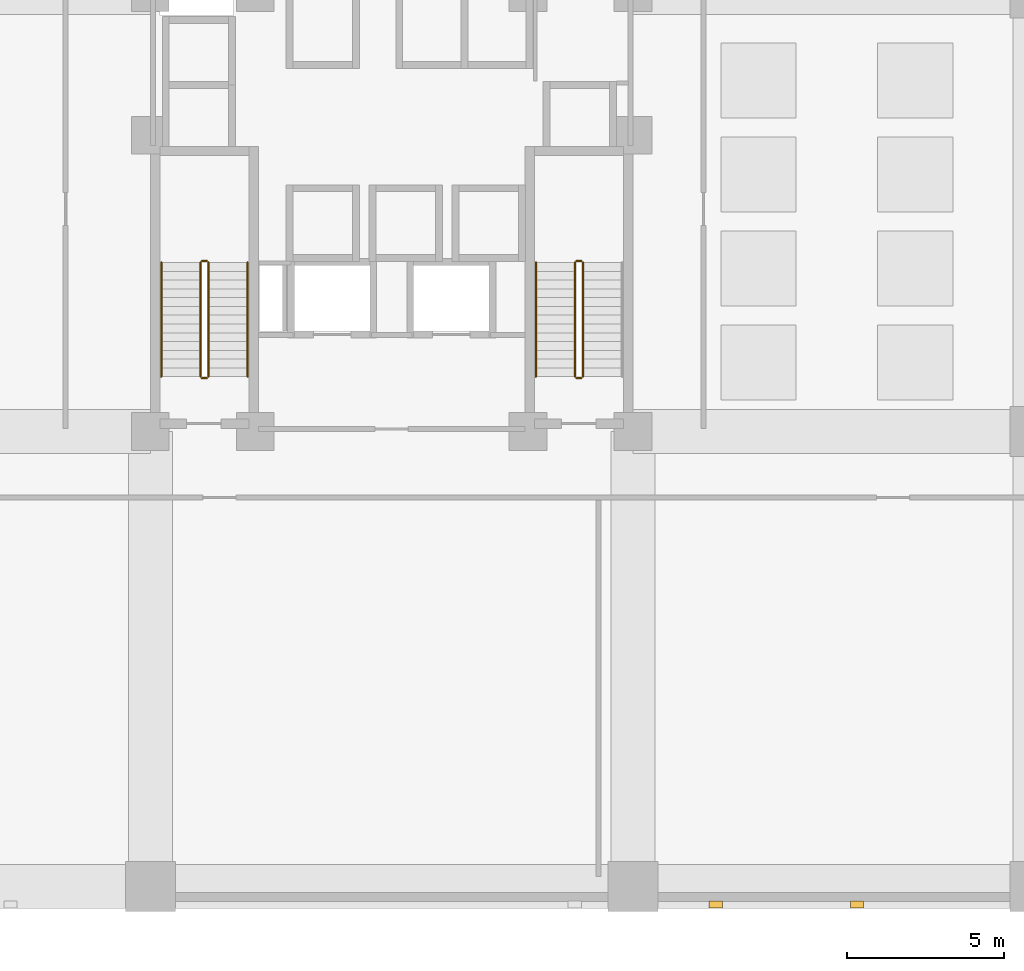
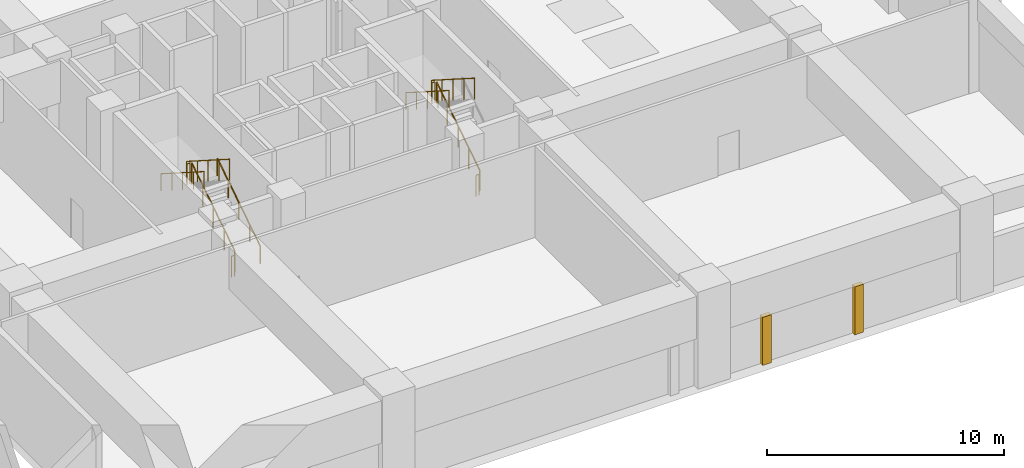
# One storey, part 5 of 6: 11 railings, 2 coverings.
"""IFC4 building model written with IfcOpenShell, lengths in metres."""

from ifc_helpers import new_model, si_unit, derived_unit, direction, frame, origin, origin_2d, place, context, subcontext, project, spatial, rectangle, circle, extrude, material, layer, layer_set, type_object, element, save


model = new_model("IFC4")

# Units and contexts
model_context = context("Model", 3, precision=1e-05, world=origin(), true_north=direction((0.0, 1.0)))
body_context = subcontext(model_context, "Body", "Model", "MODEL_VIEW")
ifc_project = project(units=[si_unit("LENGTHUNIT", "METRE"), si_unit("AREAUNIT", "SQUARE_METRE"), si_unit("VOLUMEUNIT", "CUBIC_METRE"), si_unit("PLANEANGLEUNIT", "RADIAN"), si_unit("MASSUNIT", "GRAM", prefix="KILO"), derived_unit("THERMALTRANSMITTANCEUNIT", [(si_unit("MASSUNIT", "GRAM", prefix="KILO"), 1), (si_unit("TIMEUNIT", "SECOND"), -3), (si_unit("THERMODYNAMICTEMPERATUREUNIT", "KELVIN"), -1)])], contexts=[model_context])

# Site, building, storey
site_placement = place(None, origin())
site = spatial("IfcSite", under=ifc_project, at=site_placement, CompositionType="ELEMENT")
building_placement = place(site_placement, origin())
building = spatial("IfcBuilding", under=site, at=building_placement, Name="Korrvale Station Residences", CompositionType="ELEMENT")
storey_placement = place(building_placement, frame((0.0, 0.0, 20.800048828125)))
storey = spatial("IfcBuildingStorey", under=building, at=storey_placement, Name="L04", CompositionType="ELEMENT", Elevation=20.800048828125)

# Coverings
ifc_material_1 = material(Name="Architectural precast concrete C45/55", Category="concrete")
ifc_layer = layer(ifc_material_1, 0.219970703125, Name="Architectural precast concrete C45/55")
ifc_layer_set = layer_set([ifc_layer], Name="Architectural precast concrete C45/55")
covering_type = type_object("IfcCoveringType", Name="COV-PIER-400", PredefinedType="CLADDING", material=ifc_layer_set)
for number, where, z_axis, x_axis, name in (
    (1, (40.340087890625, -0.090087890625, 0.02490234375), (0.0, 0.0, 1.0), (1.0, 0.0, 0.0), "L04 Architectural Precast Facade Pier 02"),
    (2, (35.840087890625, -0.090087890625, 0.02490234375), (0.0, 0.0, 1.0), (1.0, 0.0, 0.0), "L04 Architectural Precast Facade Pier 03"),
):
    element("IfcCovering", number, at=place(storey_placement, frame(where, z_axis=z_axis, x_axis=x_axis)), inside=storey, type_object=covering_type, Name=name, PredefinedType="CLADDING", context=body_context, shape_type="SweptSolid", body=[
        extrude(rectangle(XDim=0.419921875, YDim=0.219970703125, at=origin_2d()), origin(), (0.0, 0.0, 1.0), 2.47509765625),
    ])

# Railings
ifc_material_2 = material(Name="Brushed stainless-steel continuous stair handrail", Category="steel")
railing_type_1 = type_object("IfcRailingType", Name="RLG-SHND-900", PredefinedType="HANDRAIL", material=ifc_material_2)
railing_1_placement = place(storey_placement, frame((20.89990234375, 16.75, 0.178466796875)))
element("IfcRailing", 3, at=railing_1_placement, inside=storey, type_object=railing_type_1, Name="L04 ST-1 stair handrail 1", PredefinedType="HANDRAIL", context=body_context, shape_type="SweptSolid", body=[
    extrude(circle(Radius=0.02392578125, at=origin_2d()), frame((0.0, 0.0, 0.8759765625), z_axis=(0.0, 0.843111507901, 0.53773877045), x_axis=(-1.0, 0.0, 0.0)), (0.0, 0.0, 1.0), 4.317138671875),
    extrude(circle(Radius=0.02099609375, at=origin_2d()), origin(), (0.0, 0.0, 1.0), 0.851806640625),
    extrude(circle(Radius=0.02099609375, at=origin_2d()), frame((0.0, 0.909912109375, 0.580322265625)), (0.0, 0.0, 1.0), 0.851806640625),
    extrude(circle(Radius=0.02099609375, at=origin_2d()), frame((0.0, 1.81982421875, 1.16064453125)), (0.0, 0.0, 1.0), 0.851806640625),
    extrude(circle(Radius=0.02099609375, at=origin_2d()), frame((0.0, 2.72998046875, 1.7412109375)), (0.0, 0.0, 1.0), 0.851806640625),
    extrude(circle(Radius=0.02099609375, at=origin_2d()), frame((0.0, 3.639892578125, 2.321533203125)), (0.0, 0.0, 1.0), 0.851806640625),
])
for number, where, name in (
    (4, (18.14990234375, 20.389892578125, 2.678466796875), "L04 ST-1 stair handrail 2"),
    (5, (30.10009765625, 20.389892578125, 2.678466796875), "L04 ST-2 stair handrail 2"),
):
    element("IfcRailing", number, at=place(storey_placement, frame(where)), inside=storey, type_object=railing_type_1, Name=name, PredefinedType="HANDRAIL", context=body_context, shape_type="SweptSolid", body=[
        extrude(circle(Radius=0.02392578125, at=origin_2d()), frame((0.0, 0.0, 0.8759765625), z_axis=(0.0, -0.843111507901, 0.53773877045), x_axis=(1.0, 0.0, 0.0)), (0.0, 0.0, 1.0), 4.317138671875),
        extrude(circle(Radius=0.02099609375, at=origin_2d()), origin(), (0.0, 0.0, 1.0), 0.851806640625),
        extrude(circle(Radius=0.02099609375, at=origin_2d()), frame((0.0, -0.909912109375, 0.580322265625)), (0.0, 0.0, 1.0), 0.851806640625),
        extrude(circle(Radius=0.02099609375, at=origin_2d()), frame((0.0, -1.81982421875, 1.16064453125)), (0.0, 0.0, 1.0), 0.851806640625),
        extrude(circle(Radius=0.02099609375, at=origin_2d()), frame((0.0, -2.72998046875, 1.7412109375)), (0.0, 0.0, 1.0), 0.851806640625),
        extrude(circle(Radius=0.02099609375, at=origin_2d()), frame((0.0, -3.639892578125, 2.321533203125)), (0.0, 0.0, 1.0), 0.851806640625),
    ])
ifc_material_3 = material(Name="Galvanised painted tubular steel stair guard", Category="steel")
railing_type_2 = type_object("IfcRailingType", Name="RLG-STR-1100", PredefinedType="GUARDRAIL", material=ifc_material_3)
railing_2_placement = place(storey_placement, frame((19.64990234375, 16.75, 0.178466796875)))
element("IfcRailing", 6, at=railing_2_placement, inside=storey, type_object=railing_type_2, Name="L04 ST-1 stair guard 1", PredefinedType="GUARDRAIL", context=body_context, shape_type="SweptSolid", body=[
    extrude(circle(Radius=0.02392578125, at=origin_2d()), frame((0.0, 0.0, 1.076171875), z_axis=(0.0, 0.843111507901, 0.53773877045), x_axis=(-1.0, 0.0, 0.0)), (0.0, 0.0, 1.0), 4.317138671875),
    extrude(circle(Radius=0.02099609375, at=origin_2d()), origin(), (0.0, 0.0, 1.0), 1.052001953125),
    extrude(circle(Radius=0.02099609375, at=origin_2d()), frame((0.0, 0.909912109375, 0.580322265625)), (0.0, 0.0, 1.0), 1.052001953125),
    extrude(circle(Radius=0.02099609375, at=origin_2d()), frame((0.0, 1.81982421875, 1.16064453125)), (0.0, 0.0, 1.0), 1.052001953125),
    extrude(circle(Radius=0.02099609375, at=origin_2d()), frame((0.0, 2.72998046875, 1.7412109375)), (0.0, 0.0, 1.0), 1.052001953125),
    extrude(circle(Radius=0.02099609375, at=origin_2d()), frame((0.0, 3.639892578125, 2.321533203125)), (0.0, 0.0, 1.0), 1.052001953125),
])
railing_3_placement = place(storey_placement, frame((19.60009765625, 20.43994140625, 2.5)))
element("IfcRailing", 7, at=railing_3_placement, inside=storey, type_object=railing_type_2, Name="L04 ST-1 stair guard 2", PredefinedType="GUARDRAIL", context=body_context, shape_type="SweptSolid", body=[
    extrude(circle(Radius=0.02392578125, at=origin_2d()), frame((0.0, 0.0, 1.076171875), z_axis=(-1.0, 0.0, 0.0), x_axis=(0.0, -1.0, 0.0)), (0.0, 0.0, 1.0), 0.150146484375),
    extrude(circle(Radius=0.02099609375, at=origin_2d()), origin(), (0.0, 0.0, 1.0), 1.052001953125),
    extrude(circle(Radius=0.02099609375, at=origin_2d()), frame((-0.150146484375, 0.0, 0.0)), (0.0, 0.0, 1.0), 1.052001953125),
])
railing_4_placement = place(storey_placement, frame((19.39990234375, 20.389892578125, 2.678466796875)))
element("IfcRailing", 8, at=railing_4_placement, inside=storey, type_object=railing_type_2, Name="L04 ST-1 stair guard 3", PredefinedType="GUARDRAIL", context=body_context, shape_type="SweptSolid", body=[
    extrude(circle(Radius=0.02392578125, at=origin_2d()), frame((0.0, 0.0, 1.076171875), z_axis=(0.0, -0.843111507901, 0.53773877045), x_axis=(1.0, 0.0, 0.0)), (0.0, 0.0, 1.0), 4.317138671875),
    extrude(circle(Radius=0.02099609375, at=origin_2d()), origin(), (0.0, 0.0, 1.0), 1.052001953125),
    extrude(circle(Radius=0.02099609375, at=origin_2d()), frame((0.0, -0.909912109375, 0.580322265625)), (0.0, 0.0, 1.0), 1.052001953125),
    extrude(circle(Radius=0.02099609375, at=origin_2d()), frame((0.0, -1.81982421875, 1.16064453125)), (0.0, 0.0, 1.0), 1.052001953125),
    extrude(circle(Radius=0.02099609375, at=origin_2d()), frame((0.0, -2.72998046875, 1.7412109375)), (0.0, 0.0, 1.0), 1.052001953125),
    extrude(circle(Radius=0.02099609375, at=origin_2d()), frame((0.0, -3.639892578125, 2.321533203125)), (0.0, 0.0, 1.0), 1.052001953125),
])
railing_5_placement = place(storey_placement, frame((19.60009765625, 16.699951171875, 0.0)))
element("IfcRailing", 9, at=railing_5_placement, inside=storey, type_object=railing_type_2, Name="L04 ST-1 stair guard 4", PredefinedType="GUARDRAIL", context=body_context, shape_type="SweptSolid", body=[
    extrude(circle(Radius=0.02392578125, at=origin_2d()), frame((0.0, 0.0, 1.076171875), z_axis=(-1.0, 0.0, 0.0), x_axis=(0.0, -1.0, 0.0)), (0.0, 0.0, 1.0), 0.150146484375),
    extrude(circle(Radius=0.02099609375, at=origin_2d()), origin(), (0.0, 0.0, 1.0), 1.052001953125),
    extrude(circle(Radius=0.02099609375, at=origin_2d()), frame((-0.150146484375, 0.0, 0.0)), (0.0, 0.0, 1.0), 1.052001953125),
])
railing_6_placement = place(storey_placement, frame((31.60009765625, 16.75, 0.178466796875)))
element("IfcRailing", 10, at=railing_6_placement, inside=storey, type_object=railing_type_2, Name="L04 ST-2 stair guard 1", PredefinedType="GUARDRAIL", context=body_context, shape_type="SweptSolid", body=[
    extrude(circle(Radius=0.02392578125, at=origin_2d()), frame((0.0, 0.0, 1.076171875), z_axis=(0.0, 0.843111507901, 0.53773877045), x_axis=(-1.0, 0.0, 0.0)), (0.0, 0.0, 1.0), 4.317138671875),
    extrude(circle(Radius=0.02099609375, at=origin_2d()), origin(), (0.0, 0.0, 1.0), 1.052001953125),
    extrude(circle(Radius=0.02099609375, at=origin_2d()), frame((0.0, 0.909912109375, 0.580322265625)), (0.0, 0.0, 1.0), 1.052001953125),
    extrude(circle(Radius=0.02099609375, at=origin_2d()), frame((0.0, 1.81982421875, 1.16064453125)), (0.0, 0.0, 1.0), 1.052001953125),
    extrude(circle(Radius=0.02099609375, at=origin_2d()), frame((0.0, 2.72998046875, 1.7412109375)), (0.0, 0.0, 1.0), 1.052001953125),
    extrude(circle(Radius=0.02099609375, at=origin_2d()), frame((0.0, 3.639892578125, 2.321533203125)), (0.0, 0.0, 1.0), 1.052001953125),
])
railing_7_placement = place(storey_placement, frame((31.550048828125, 20.43994140625, 2.5)))
element("IfcRailing", 11, at=railing_7_placement, inside=storey, type_object=railing_type_2, Name="L04 ST-2 stair guard 2", PredefinedType="GUARDRAIL", context=body_context, shape_type="SweptSolid", body=[
    extrude(circle(Radius=0.02392578125, at=origin_2d()), frame((0.0, 0.0, 1.076171875), z_axis=(-1.0, 0.0, 0.0), x_axis=(0.0, -1.0, 0.0)), (0.0, 0.0, 1.0), 0.150146484375),
    extrude(circle(Radius=0.02099609375, at=origin_2d()), origin(), (0.0, 0.0, 1.0), 1.052001953125),
    extrude(circle(Radius=0.02099609375, at=origin_2d()), frame((-0.150146484375, 0.0, 0.0)), (0.0, 0.0, 1.0), 1.052001953125),
])
railing_8_placement = place(storey_placement, frame((31.35009765625, 20.389892578125, 2.678466796875)))
element("IfcRailing", 12, at=railing_8_placement, inside=storey, type_object=railing_type_2, Name="L04 ST-2 stair guard 3", PredefinedType="GUARDRAIL", context=body_context, shape_type="SweptSolid", body=[
    extrude(circle(Radius=0.02392578125, at=origin_2d()), frame((0.0, 0.0, 1.076171875), z_axis=(0.0, -0.843111507901, 0.53773877045), x_axis=(1.0, 0.0, 0.0)), (0.0, 0.0, 1.0), 4.317138671875),
    extrude(circle(Radius=0.02099609375, at=origin_2d()), origin(), (0.0, 0.0, 1.0), 1.052001953125),
    extrude(circle(Radius=0.02099609375, at=origin_2d()), frame((0.0, -0.909912109375, 0.580322265625)), (0.0, 0.0, 1.0), 1.052001953125),
    extrude(circle(Radius=0.02099609375, at=origin_2d()), frame((0.0, -1.81982421875, 1.16064453125)), (0.0, 0.0, 1.0), 1.052001953125),
    extrude(circle(Radius=0.02099609375, at=origin_2d()), frame((0.0, -2.72998046875, 1.7412109375)), (0.0, 0.0, 1.0), 1.052001953125),
    extrude(circle(Radius=0.02099609375, at=origin_2d()), frame((0.0, -3.639892578125, 2.321533203125)), (0.0, 0.0, 1.0), 1.052001953125),
])
railing_9_placement = place(storey_placement, frame((31.550048828125, 16.699951171875, 0.0)))
element("IfcRailing", 13, at=railing_9_placement, inside=storey, type_object=railing_type_2, Name="L04 ST-2 stair guard 4", PredefinedType="GUARDRAIL", context=body_context, shape_type="SweptSolid", body=[
    extrude(circle(Radius=0.02392578125, at=origin_2d()), frame((0.0, 0.0, 1.076171875), z_axis=(-1.0, 0.0, 0.0), x_axis=(0.0, -1.0, 0.0)), (0.0, 0.0, 1.0), 0.150146484375),
    extrude(circle(Radius=0.02099609375, at=origin_2d()), origin(), (0.0, 0.0, 1.0), 1.052001953125),
    extrude(circle(Radius=0.02099609375, at=origin_2d()), frame((-0.150146484375, 0.0, 0.0)), (0.0, 0.0, 1.0), 1.052001953125),
])

save(model, "model.ifc")
